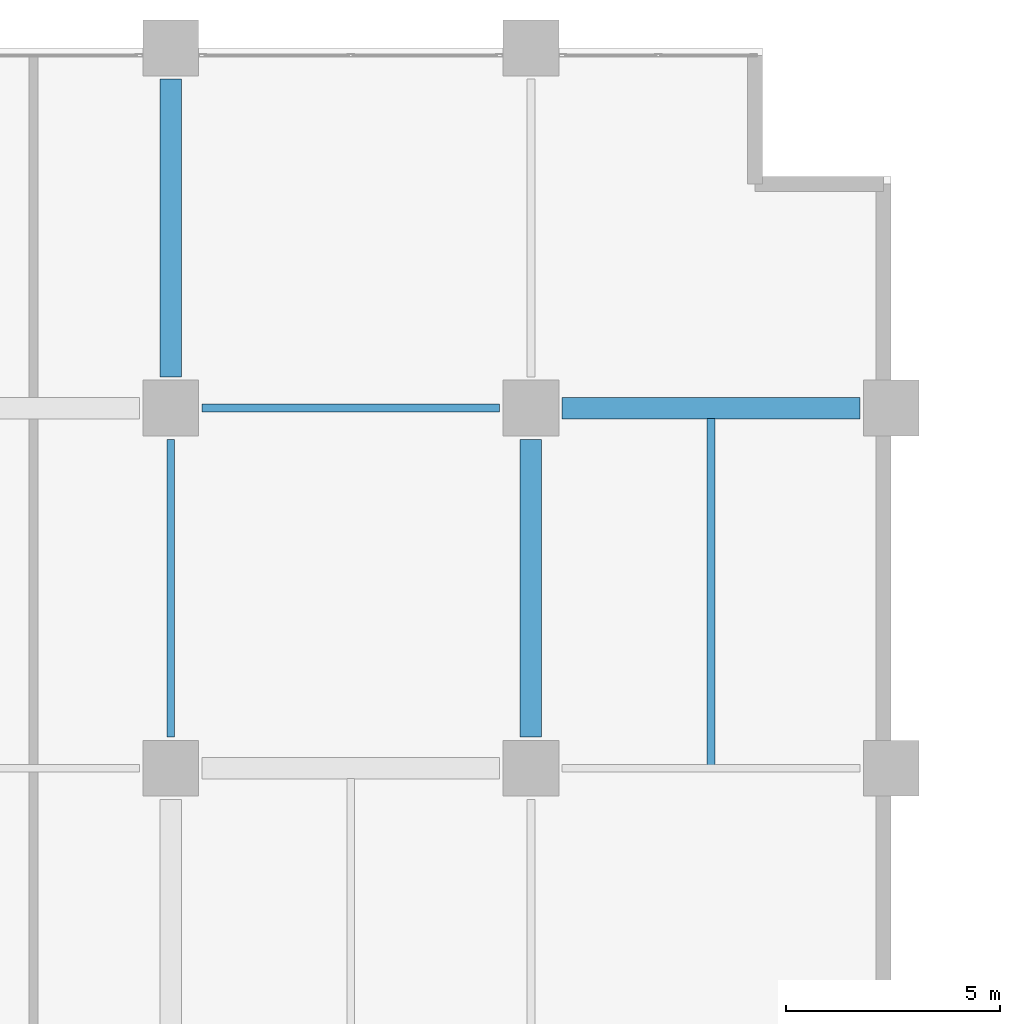
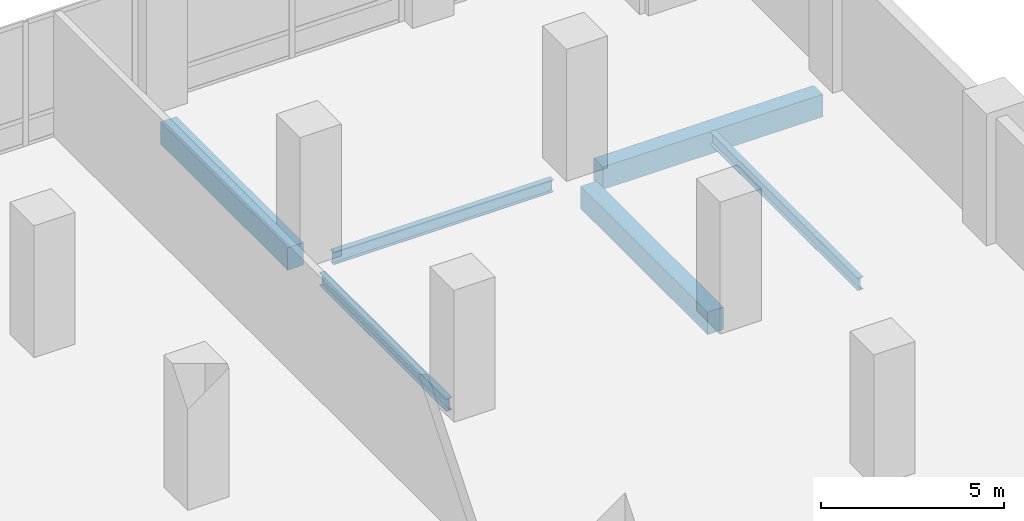
# One storey, part 4 of 21: 6 beams.
"""IFC4 building model written with IfcOpenShell, lengths in metres."""

import ifcopenshell
import ifcopenshell.guid

model = None  # the IFC model being written
_history = None  # IfcOwnerHistory: only IFC2X3 demands one
_inside = {}  # id of a spatial element -> (the spatial element, [elements in it])
_under = {}  # id of a project, library or spatial element -> (it, [spatial elements below it])
_declared = {}  # id of a project -> (the project, [libraries it declares])
_typed = {}  # id of a type object -> (the type object, [elements of that type])
_made_of = {}  # id of a material, layer set ... -> (it, [elements and type objects made of it])


def new_model(schema):
    """Start an empty IFC model of exactly this schema.

    Asked for "IFC4X3", IfcOpenShell would pick the latest addendum, in which some entities
    have other attributes; the version numbers below select the first issue.
    IFC2X3 requires an IfcOwnerHistory on every rooted entity: one is made here for all.
    """
    global model, _history
    if schema == "IFC4X3":
        model = ifcopenshell.file(schema_version=(4, 3, 0, 0))
    else:
        model = ifcopenshell.file(schema=schema)
    _inside.clear()
    _under.clear()
    _declared.clear()
    _typed.clear()
    _made_of.clear()
    _history = None
    if model.schema == "IFC2X3":
        org = make("IfcOrganization", Name="unknown")
        user = make(
            "IfcPersonAndOrganization",
            ThePerson=make("IfcPerson", FamilyName="unknown"),
            TheOrganization=org,
        )
        app = make(
            "IfcApplication",
            ApplicationDeveloper=org,
            Version="unknown",
            ApplicationFullName="unknown",
            ApplicationIdentifier="unknown",
        )
        _history = make(
            "IfcOwnerHistory",
            OwningUser=user,
            OwningApplication=app,
            ChangeAction="ADDED",
            CreationDate=0,
        )
    return model


def make(cls, **values):
    """One entity of the class cls with the attributes given. An attribute that is None is left unset."""
    return model.create_entity(
        cls, **{name: value for name, value in values.items() if value is not None}
    )


def rooted(cls, **values):
    """An entity with a GlobalId (a new one), such as an element, a storey or a relation."""
    return make(cls, GlobalId=ifcopenshell.guid.new(), OwnerHistory=_history, **values)


def si_unit(unit_type, name, prefix=None):
    """IfcSIUnit, for example si_unit("LENGTHUNIT", "METRE", prefix="MILLI")."""
    return make("IfcSIUnit", UnitType=unit_type, Prefix=prefix, Name=name)


def assignment(units):
    """IfcUnitAssignment: the units of a project."""
    return None if units is None else make("IfcUnitAssignment", Units=units)


def point(xyz):
    """IfcCartesianPoint."""
    return None if xyz is None else make("IfcCartesianPoint", Coordinates=xyz)


def direction(xyz):
    """IfcDirection."""
    return None if xyz is None else make("IfcDirection", DirectionRatios=xyz)


def frame(location, z_axis=None, x_axis=None):
    """IfcAxis2Placement3D, a coordinate frame: its origin and axes. An axis left out is left unset."""
    return make(
        "IfcAxis2Placement3D",
        Location=point(location),
        Axis=direction(z_axis),
        RefDirection=direction(x_axis),
    )


def frame_2d(location, x_axis=None):
    """IfcAxis2Placement2D, a coordinate frame in the plane: its origin and x axis."""
    return make(
        "IfcAxis2Placement2D", Location=point(location), RefDirection=direction(x_axis)
    )


def origin():
    """The frame at (0, 0, 0) with its axes left unset."""
    return frame((0.0, 0.0, 0.0))


def origin_2d():
    """The frame at (0, 0) in the plane with its x axis left unset."""
    return frame_2d((0.0, 0.0))


def place(relative_to, where):
    """IfcLocalPlacement: puts the frame where relative to a parent placement (None: the world)."""
    return make(
        "IfcLocalPlacement", PlacementRelTo=relative_to, RelativePlacement=where
    )


def context(
    kind, dimensions, precision=None, world=None, true_north=None, identifier=None
):
    """IfcGeometricRepresentationContext, for example the 3D "Model" context."""
    return make(
        "IfcGeometricRepresentationContext",
        ContextIdentifier=identifier,
        ContextType=kind,
        CoordinateSpaceDimension=dimensions,
        Precision=precision,
        WorldCoordinateSystem=world,
        TrueNorth=true_north,
    )


def subcontext(parent, identifier, kind, view, scale=None):
    """IfcGeometricRepresentationSubContext, for example "Body" below "Model"."""
    return make(
        "IfcGeometricRepresentationSubContext",
        ContextIdentifier=identifier,
        ContextType=kind,
        ParentContext=parent,
        TargetScale=scale,
        TargetView=view,
    )


def project(units=None, contexts=None):
    """IfcProject with its units and contexts."""
    return rooted(
        "IfcProject",
        Name="project",
        RepresentationContexts=contexts,
        UnitsInContext=assignment(units),
    )


def spatial(cls, under=None, at=None, **own):
    """A site, building, storey or space (cls), placed at a placement, below another one or the project."""
    s = rooted(cls, ObjectPlacement=at, **own)
    if under is not None:
        _under.setdefault(under.id(), (under, []))[1].append(s)
    return s


def profile(cls, at=None, kind="AREA", **sizes):
    """A parametric profile (cls). Its sizes go by their IFC names, for example OverallWidth=200.0."""
    return make(cls, ProfileType=kind, Position=at, **sizes)


def rectangle(**sizes):
    """IfcRectangleProfileDef."""
    return profile("IfcRectangleProfileDef", **sizes)


def i_section(**sizes):
    """IfcIShapeProfileDef."""
    return profile("IfcIShapeProfileDef", **sizes)


def extrude(swept, where, along, depth):
    """IfcExtrudedAreaSolid: the profile swept, set in the frame where, extruded along a direction by depth."""
    return make(
        "IfcExtrudedAreaSolid",
        SweptArea=swept,
        Position=where,
        ExtrudedDirection=direction(along),
        Depth=depth,
    )


def shape(context_of_items, identifier, shape_type, items):
    """IfcShapeRepresentation: the items that make up one representation, for example the "Body"."""
    return make(
        "IfcShapeRepresentation",
        ContextOfItems=context_of_items,
        RepresentationIdentifier=identifier,
        RepresentationType=shape_type,
        Items=items,
    )


def material(Name=None, Category=None):
    """IfcMaterial."""
    return make("IfcMaterial", Name=Name, Category=Category)


def material_profile(
    of_material, cross_section, Name=None, Category=None, Priority=None
):
    """IfcMaterialProfile: a cross section and its material."""
    return make(
        "IfcMaterialProfile",
        Name=Name,
        Material=of_material,
        Profile=cross_section,
        Priority=Priority,
        Category=Category,
    )


def profile_set(profiles, Name=None, composite=None):
    """IfcMaterialProfileSet."""
    return make(
        "IfcMaterialProfileSet",
        Name=Name,
        MaterialProfiles=profiles,
        CompositeProfile=composite,
    )


def made_of(thing, what):
    """Note that an element or type object is made of a material, layer set ...; save() writes the relation."""
    if what is not None:
        _made_of.setdefault(what.id(), (what, []))[1].append(thing)
    return thing


def type_object(cls, material=None, **own):
    """A type object (cls), such as IfcWallType, which elements share."""
    return made_of(rooted(cls, **own), material)


def element(
    cls,
    number,
    at=None,
    inside=None,
    cuts=None,
    type_object=None,
    material=None,
    context=None,
    identifier="Body",
    shape_type=None,
    held_by="IfcProductDefinitionShape",
    body=None,
    shapes=None,
    **own,
):
    """One element of the class cls, such as IfcWall. Its Tag is "e" and its number.

    at: its placement. inside: the storey or other place that contains it. cuts: it is an
    opening in that element (IfcRelVoidsElement). A single representation is given by context,
    identifier, shape_type and body (its items); several are given by shapes. held_by: the class
    of the entity that holds the representations. save() writes the other relations.
    """
    e = rooted(cls, Tag="e%d" % number, ObjectPlacement=at, **own)
    if body is not None:
        shapes = [shape(context, identifier, shape_type, body)]
    if shapes is not None:
        e.Representation = make(held_by, Representations=shapes)
    if inside is not None:
        _inside.setdefault(inside.id(), (inside, []))[1].append(e)
    if cuts is not None:
        rooted(
            "IfcRelVoidsElement", RelatingBuildingElement=cuts, RelatedOpeningElement=e
        )
    if type_object is not None:
        _typed.setdefault(type_object.id(), (type_object, []))[1].append(e)
    return made_of(e, material)


def aggregate(whole, parts):
    """IfcRelAggregates: a whole, such as a stair, and the parts it consists of."""
    return rooted("IfcRelAggregates", RelatingObject=whole, RelatedObjects=parts)


def save(model, path):
    """Write the relations noted so far, then the file.

    IfcRelAggregates (storeys below a building ...), IfcRelContainedInSpatialStructure (elements
    in a storey), IfcRelDefinesByType, IfcRelAssociatesMaterial and IfcRelDeclares: one each for
    every whole, place, type object, material and project.
    """
    for whole, parts in _under.values():
        aggregate(whole, parts)
    for where, things in _inside.values():
        rooted(
            "IfcRelContainedInSpatialStructure",
            RelatedElements=things,
            RelatingStructure=where,
        )
    for kind, things in _typed.values():
        rooted("IfcRelDefinesByType", RelatedObjects=things, RelatingType=kind)
    for what, things in _made_of.values():
        rooted("IfcRelAssociatesMaterial", RelatedObjects=things, RelatingMaterial=what)
    for by, libraries in _declared.values():
        rooted("IfcRelDeclares", RelatingContext=by, RelatedDefinitions=libraries)
    model.write(path)


model = new_model("IFC4")

# Units and contexts
model_context = context("Model", 3, precision=1e-05, world=origin(), true_north=direction((0.0, 1.0)))
body_context = subcontext(model_context, "Body", "Model", "MODEL_VIEW")
ifc_project = project(units=[si_unit("LENGTHUNIT", "METRE"), si_unit("AREAUNIT", "SQUARE_METRE"), si_unit("VOLUMEUNIT", "CUBIC_METRE"), si_unit("PLANEANGLEUNIT", "RADIAN"), si_unit("MASSUNIT", "GRAM", prefix="KILO")], contexts=[model_context])

# Site, building, storey
site_placement = place(None, origin())
site = spatial("IfcSite", under=ifc_project, at=site_placement, CompositionType="ELEMENT")
building_placement = place(site_placement, origin())
building = spatial("IfcBuilding", under=site, at=building_placement, Name="Koriwani Terraces Tower", CompositionType="ELEMENT")
storey_placement = place(building_placement, frame((0.0, 0.0, 85.199951171875)))
storey = spatial("IfcBuildingStorey", under=building, at=storey_placement, Name="L20", CompositionType="ELEMENT", Elevation=85.199951171875)

# Beams
ifc_material_1 = material(Name="Concrete C50/60", Category="concrete")
ifc_material_profile_1 = material_profile(ifc_material_1, rectangle(XDim=0.5, YDim=0.75, at=origin_2d()), Name="Concrete C50/60", Category="LoadBearing")
ifc_profile_set_1 = profile_set([ifc_material_profile_1], Name="Concrete C50/60")
beam_type_1 = type_object("IfcBeamType", Name="BEAM_RC_GRID_500X750", PredefinedType="BEAM", material=ifc_profile_set_1)
beam_1_placement = place(storey_placement, frame((25.929931640625, 84.0, -0.625), z_axis=(1.0, 0.0, 0.0), x_axis=(0.0, 1.0, 0.0)))
element("IfcBeam", 1, at=beam_1_placement, inside=storey, type_object=beam_type_1, Name="L20 Grid Beam K (25.2-33.6m)", PredefinedType="BEAM", context=body_context, shape_type="SweptSolid", body=[
    extrude(rectangle(XDim=0.5, YDim=0.75, at=origin_2d()), origin(), (0.0, 0.0, 1.0), 6.940185546875),
])
for number, where, z_axis, x_axis, name in (
    (2, (16.800048828125, 84.72998046875, -0.625), (0.0, 1.0, 0.0), (-1.0, 0.0, 0.0), "L20 Grid Beam 3 (84.0-92.4m)"),
    (3, (25.199951171875, 76.330078125, -0.625), (0.0, 1.0, 0.0), (-1.0, 0.0, 0.0), "L20 Grid Beam 4 (75.6-84.0m)"),
):
    element("IfcBeam", number, at=place(storey_placement, frame(where, z_axis=z_axis, x_axis=x_axis)), inside=storey, type_object=beam_type_1, Name=name, PredefinedType="BEAM", context=body_context, shape_type="SweptSolid", body=[
        extrude(rectangle(XDim=0.5, YDim=0.75, at=origin_2d()), origin(), (0.0, 0.0, 1.0), 6.93994140625),
    ])
ifc_material_2 = material(Name="Steel ASTM A572 Grade 50", Category="steel")
ifc_material_profile_2 = material_profile(ifc_material_2, i_section(OverallWidth=0.180908203125, OverallDepth=0.4169921875, WebThickness=0.010986328125, FlangeThickness=0.018310546875, at=origin_2d()), Name="Steel ASTM A572 Grade 50", Category="LoadBearing")
ifc_profile_set_2 = profile_set([ifc_material_profile_2], Name="Steel ASTM A572 Grade 50")
beam_type_2 = type_object("IfcBeamType", Name="STEEL_BEAM_W410X85", PredefinedType="JOIST", material=ifc_profile_set_2)
for number, where, z_axis, x_axis, name in (
    (4, (17.530029296875, 84.0, -0.45849609375), (1.0, 0.0, 0.0), (0.0, 1.0, 0.0), "L20 Grid Beam K (16.8-25.2m)"),
    (5, (16.800048828125, 76.330078125, -0.45849609375), (0.0, 1.0, 0.0), (-1.0, 0.0, 0.0), "L20 Grid Beam 3 (75.6-84.0m)"),
):
    element("IfcBeam", number, at=place(storey_placement, frame(where, z_axis=z_axis, x_axis=x_axis)), inside=storey, type_object=beam_type_2, Name=name, PredefinedType="JOIST", context=body_context, shape_type="SweptSolid", body=[
        extrude(i_section(OverallWidth=0.180908203125, OverallDepth=0.4169921875, WebThickness=0.010986328125, FlangeThickness=0.018310546875, at=origin_2d()), origin(), (0.0, 0.0, 1.0), 6.93994140625),
    ])
beam_2_placement = place(storey_placement, frame((29.39990234375, 75.680419921875, -0.45849609375), z_axis=(0.0, 1.0, 0.0), x_axis=(-1.0, 0.0, 0.0)))
element("IfcBeam", 6, at=beam_2_placement, inside=storey, type_object=beam_type_2, Name="L20 Secondary Steel Floor Joist X=29.4m", PredefinedType="JOIST", context=body_context, shape_type="SweptSolid", body=[
    extrude(i_section(OverallWidth=0.180908203125, OverallDepth=0.4169921875, WebThickness=0.010986328125, FlangeThickness=0.018310546875, at=origin_2d()), origin(), (0.0, 0.0, 1.0), 8.07958984375),
])

save(model, "model.ifc")
